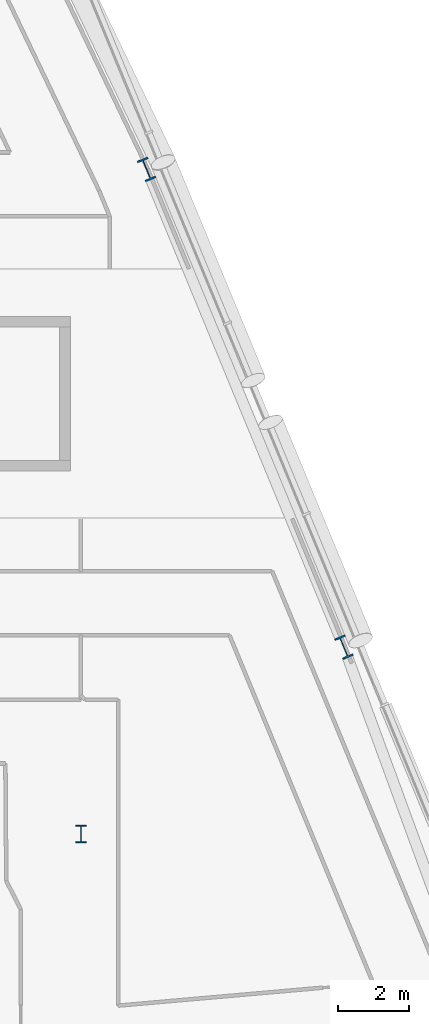
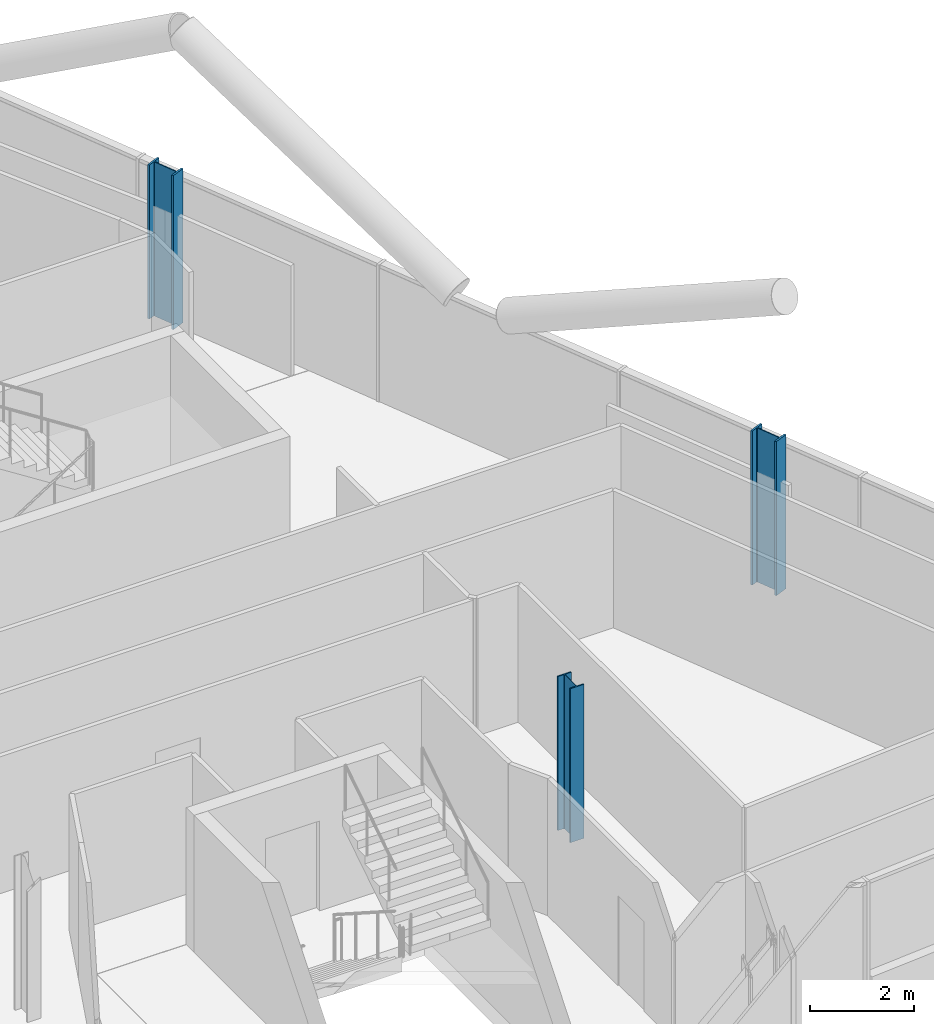
# One storey, part 5 of 28: 3 columns.
"""IFC4 building model written with IfcOpenShell, lengths in metres."""

import ifcopenshell
import ifcopenshell.guid

model = None  # the IFC model being written
_history = None  # IfcOwnerHistory: only IFC2X3 demands one
_inside = {}  # id of a spatial element -> (the spatial element, [elements in it])
_under = {}  # id of a project, library or spatial element -> (it, [spatial elements below it])
_declared = {}  # id of a project -> (the project, [libraries it declares])
_typed = {}  # id of a type object -> (the type object, [elements of that type])
_made_of = {}  # id of a material, layer set ... -> (it, [elements and type objects made of it])


def new_model(schema):
    """Start an empty IFC model of exactly this schema.

    Asked for "IFC4X3", IfcOpenShell would pick the latest addendum, in which some entities
    have other attributes; the version numbers below select the first issue.
    IFC2X3 requires an IfcOwnerHistory on every rooted entity: one is made here for all.
    """
    global model, _history
    if schema == "IFC4X3":
        model = ifcopenshell.file(schema_version=(4, 3, 0, 0))
    else:
        model = ifcopenshell.file(schema=schema)
    _inside.clear()
    _under.clear()
    _declared.clear()
    _typed.clear()
    _made_of.clear()
    _history = None
    if model.schema == "IFC2X3":
        org = make("IfcOrganization", Name="unknown")
        user = make(
            "IfcPersonAndOrganization",
            ThePerson=make("IfcPerson", FamilyName="unknown"),
            TheOrganization=org,
        )
        app = make(
            "IfcApplication",
            ApplicationDeveloper=org,
            Version="unknown",
            ApplicationFullName="unknown",
            ApplicationIdentifier="unknown",
        )
        _history = make(
            "IfcOwnerHistory",
            OwningUser=user,
            OwningApplication=app,
            ChangeAction="ADDED",
            CreationDate=0,
        )
    return model


def make(cls, **values):
    """One entity of the class cls with the attributes given. An attribute that is None is left unset."""
    return model.create_entity(
        cls, **{name: value for name, value in values.items() if value is not None}
    )


def rooted(cls, **values):
    """An entity with a GlobalId (a new one), such as an element, a storey or a relation."""
    return make(cls, GlobalId=ifcopenshell.guid.new(), OwnerHistory=_history, **values)


def si_unit(unit_type, name, prefix=None):
    """IfcSIUnit, for example si_unit("LENGTHUNIT", "METRE", prefix="MILLI")."""
    return make("IfcSIUnit", UnitType=unit_type, Prefix=prefix, Name=name)


def assignment(units):
    """IfcUnitAssignment: the units of a project."""
    return None if units is None else make("IfcUnitAssignment", Units=units)


def point(xyz):
    """IfcCartesianPoint."""
    return None if xyz is None else make("IfcCartesianPoint", Coordinates=xyz)


def direction(xyz):
    """IfcDirection."""
    return None if xyz is None else make("IfcDirection", DirectionRatios=xyz)


def frame(location, z_axis=None, x_axis=None):
    """IfcAxis2Placement3D, a coordinate frame: its origin and axes. An axis left out is left unset."""
    return make(
        "IfcAxis2Placement3D",
        Location=point(location),
        Axis=direction(z_axis),
        RefDirection=direction(x_axis),
    )


def frame_2d(location, x_axis=None):
    """IfcAxis2Placement2D, a coordinate frame in the plane: its origin and x axis."""
    return make(
        "IfcAxis2Placement2D", Location=point(location), RefDirection=direction(x_axis)
    )


def origin():
    """The frame at (0, 0, 0) with its axes left unset."""
    return frame((0.0, 0.0, 0.0))


def origin_2d():
    """The frame at (0, 0) in the plane with its x axis left unset."""
    return frame_2d((0.0, 0.0))


def place(relative_to, where):
    """IfcLocalPlacement: puts the frame where relative to a parent placement (None: the world)."""
    return make(
        "IfcLocalPlacement", PlacementRelTo=relative_to, RelativePlacement=where
    )


def context(
    kind, dimensions, precision=None, world=None, true_north=None, identifier=None
):
    """IfcGeometricRepresentationContext, for example the 3D "Model" context."""
    return make(
        "IfcGeometricRepresentationContext",
        ContextIdentifier=identifier,
        ContextType=kind,
        CoordinateSpaceDimension=dimensions,
        Precision=precision,
        WorldCoordinateSystem=world,
        TrueNorth=true_north,
    )


def subcontext(parent, identifier, kind, view, scale=None):
    """IfcGeometricRepresentationSubContext, for example "Body" below "Model"."""
    return make(
        "IfcGeometricRepresentationSubContext",
        ContextIdentifier=identifier,
        ContextType=kind,
        ParentContext=parent,
        TargetScale=scale,
        TargetView=view,
    )


def project(units=None, contexts=None):
    """IfcProject with its units and contexts."""
    return rooted(
        "IfcProject",
        Name="project",
        RepresentationContexts=contexts,
        UnitsInContext=assignment(units),
    )


def spatial(cls, under=None, at=None, **own):
    """A site, building, storey or space (cls), placed at a placement, below another one or the project."""
    s = rooted(cls, ObjectPlacement=at, **own)
    if under is not None:
        _under.setdefault(under.id(), (under, []))[1].append(s)
    return s


def profile(cls, at=None, kind="AREA", **sizes):
    """A parametric profile (cls). Its sizes go by their IFC names, for example OverallWidth=200.0."""
    return make(cls, ProfileType=kind, Position=at, **sizes)


def i_section(**sizes):
    """IfcIShapeProfileDef."""
    return profile("IfcIShapeProfileDef", **sizes)


def extrude(swept, where, along, depth):
    """IfcExtrudedAreaSolid: the profile swept, set in the frame where, extruded along a direction by depth."""
    return make(
        "IfcExtrudedAreaSolid",
        SweptArea=swept,
        Position=where,
        ExtrudedDirection=direction(along),
        Depth=depth,
    )


def shape(context_of_items, identifier, shape_type, items):
    """IfcShapeRepresentation: the items that make up one representation, for example the "Body"."""
    return make(
        "IfcShapeRepresentation",
        ContextOfItems=context_of_items,
        RepresentationIdentifier=identifier,
        RepresentationType=shape_type,
        Items=items,
    )


def material(Name=None, Category=None):
    """IfcMaterial."""
    return make("IfcMaterial", Name=Name, Category=Category)


def material_profile(
    of_material, cross_section, Name=None, Category=None, Priority=None
):
    """IfcMaterialProfile: a cross section and its material."""
    return make(
        "IfcMaterialProfile",
        Name=Name,
        Material=of_material,
        Profile=cross_section,
        Priority=Priority,
        Category=Category,
    )


def profile_set(profiles, Name=None, composite=None):
    """IfcMaterialProfileSet."""
    return make(
        "IfcMaterialProfileSet",
        Name=Name,
        MaterialProfiles=profiles,
        CompositeProfile=composite,
    )


def made_of(thing, what):
    """Note that an element or type object is made of a material, layer set ...; save() writes the relation."""
    if what is not None:
        _made_of.setdefault(what.id(), (what, []))[1].append(thing)
    return thing


def type_object(cls, material=None, **own):
    """A type object (cls), such as IfcWallType, which elements share."""
    return made_of(rooted(cls, **own), material)


def element(
    cls,
    number,
    at=None,
    inside=None,
    cuts=None,
    type_object=None,
    material=None,
    context=None,
    identifier="Body",
    shape_type=None,
    held_by="IfcProductDefinitionShape",
    body=None,
    shapes=None,
    **own,
):
    """One element of the class cls, such as IfcWall. Its Tag is "e" and its number.

    at: its placement. inside: the storey or other place that contains it. cuts: it is an
    opening in that element (IfcRelVoidsElement). A single representation is given by context,
    identifier, shape_type and body (its items); several are given by shapes. held_by: the class
    of the entity that holds the representations. save() writes the other relations.
    """
    e = rooted(cls, Tag="e%d" % number, ObjectPlacement=at, **own)
    if body is not None:
        shapes = [shape(context, identifier, shape_type, body)]
    if shapes is not None:
        e.Representation = make(held_by, Representations=shapes)
    if inside is not None:
        _inside.setdefault(inside.id(), (inside, []))[1].append(e)
    if cuts is not None:
        rooted(
            "IfcRelVoidsElement", RelatingBuildingElement=cuts, RelatedOpeningElement=e
        )
    if type_object is not None:
        _typed.setdefault(type_object.id(), (type_object, []))[1].append(e)
    return made_of(e, material)


def aggregate(whole, parts):
    """IfcRelAggregates: a whole, such as a stair, and the parts it consists of."""
    return rooted("IfcRelAggregates", RelatingObject=whole, RelatedObjects=parts)


def save(model, path):
    """Write the relations noted so far, then the file.

    IfcRelAggregates (storeys below a building ...), IfcRelContainedInSpatialStructure (elements
    in a storey), IfcRelDefinesByType, IfcRelAssociatesMaterial and IfcRelDeclares: one each for
    every whole, place, type object, material and project.
    """
    for whole, parts in _under.values():
        aggregate(whole, parts)
    for where, things in _inside.values():
        rooted(
            "IfcRelContainedInSpatialStructure",
            RelatedElements=things,
            RelatingStructure=where,
        )
    for kind, things in _typed.values():
        rooted("IfcRelDefinesByType", RelatedObjects=things, RelatingType=kind)
    for what, things in _made_of.values():
        rooted("IfcRelAssociatesMaterial", RelatedObjects=things, RelatingMaterial=what)
    for by, libraries in _declared.values():
        rooted("IfcRelDeclares", RelatingContext=by, RelatedDefinitions=libraries)
    model.write(path)


model = new_model("IFC4")

# Units and contexts
model_context = context("Model", 3, precision=1e-05, world=origin(), true_north=direction((0.0, 1.0)))
body_context = subcontext(model_context, "Body", "Model", "MODEL_VIEW")
ifc_project = project(units=[si_unit("LENGTHUNIT", "METRE"), si_unit("AREAUNIT", "SQUARE_METRE"), si_unit("VOLUMEUNIT", "CUBIC_METRE"), si_unit("PLANEANGLEUNIT", "RADIAN"), si_unit("MASSUNIT", "GRAM", prefix="KILO")], contexts=[model_context])

# Site, building, storey
site_placement = place(None, origin())
site = spatial("IfcSite", under=ifc_project, at=site_placement, CompositionType="ELEMENT")
building_placement = place(site_placement, origin())
building = spatial("IfcBuilding", under=site, at=building_placement, Name="Wharfspan Tower", CompositionType="ELEMENT")
storey_placement = place(building_placement, frame((0.0, 0.0, 187.899902)))
storey = spatial("IfcBuildingStorey", under=building, at=storey_placement, Name="L46", CompositionType="ELEMENT", Elevation=187.899902)

# Columns
ifc_material = material(Name="Steel S355J2", Category="steel")
ifc_material_profile_1 = material_profile(ifc_material, i_section(OverallWidth=0.300049, OverallDepth=0.5, WebThickness=0.014404, FlangeThickness=0.028076, FilletRadius=0.0271, at=origin_2d()))
ifc_profile_set_1 = profile_set([ifc_material_profile_1], Name="Steel S355J2")
column_type_1 = type_object("IfcColumnType", Name="Column HEB 500", PredefinedType="COLUMN", material=ifc_profile_set_1)
column_placement = place(storey_placement, frame((72.0, 11.5, 0.0), z_axis=(0.0, 0.0, 1.0), x_axis=(1.0, 0.0, 0.0)))
element("IfcColumn", 1, at=column_placement, inside=storey, type_object=column_type_1, Name="Interior column I.1.5 L46", PredefinedType="COLUMN", context=body_context, shape_type="SweptSolid", body=[
    extrude(i_section(OverallWidth=0.300049, OverallDepth=0.5, WebThickness=0.014404, FlangeThickness=0.028076, FilletRadius=0.0271, at=origin_2d()), origin(), (0.0, 0.0, 1.0), 3.600098),
])
ifc_material_profile_2 = material_profile(ifc_material, i_section(OverallWidth=0.304932, OverallDepth=0.620117, WebThickness=0.020996, FlangeThickness=0.040039, FilletRadius=0.0271, at=origin_2d()))
ifc_profile_set_2 = profile_set([ifc_material_profile_2], Name="Steel S355J2")
column_type_2 = type_object("IfcColumnType", Name="Column HEM 600", PredefinedType="COLUMN", material=ifc_profile_set_2)
for number, where, z_axis, x_axis, name in (
    (2, (79.409668, 16.761719, 0.0), (0.0, 0.0, 1.0), (0.924325, 0.381602, 0.0), "Perimeter column PE.1 L46"),
    (3, (73.85376, 30.219238, 0.0), (0.0, 0.0, 1.0), (0.924325, 0.381602, 0.0), "Perimeter column PE.2 L46"),
):
    element("IfcColumn", number, at=place(storey_placement, frame(where, z_axis=z_axis, x_axis=x_axis)), inside=storey, type_object=column_type_2, Name=name, PredefinedType="COLUMN", context=body_context, shape_type="SweptSolid", body=[
        extrude(i_section(OverallWidth=0.304932, OverallDepth=0.620117, WebThickness=0.020996, FlangeThickness=0.040039, FilletRadius=0.0271, at=origin_2d()), origin(), (0.0, 0.0, 1.0), 3.600098),
    ])

save(model, "model.ifc")
